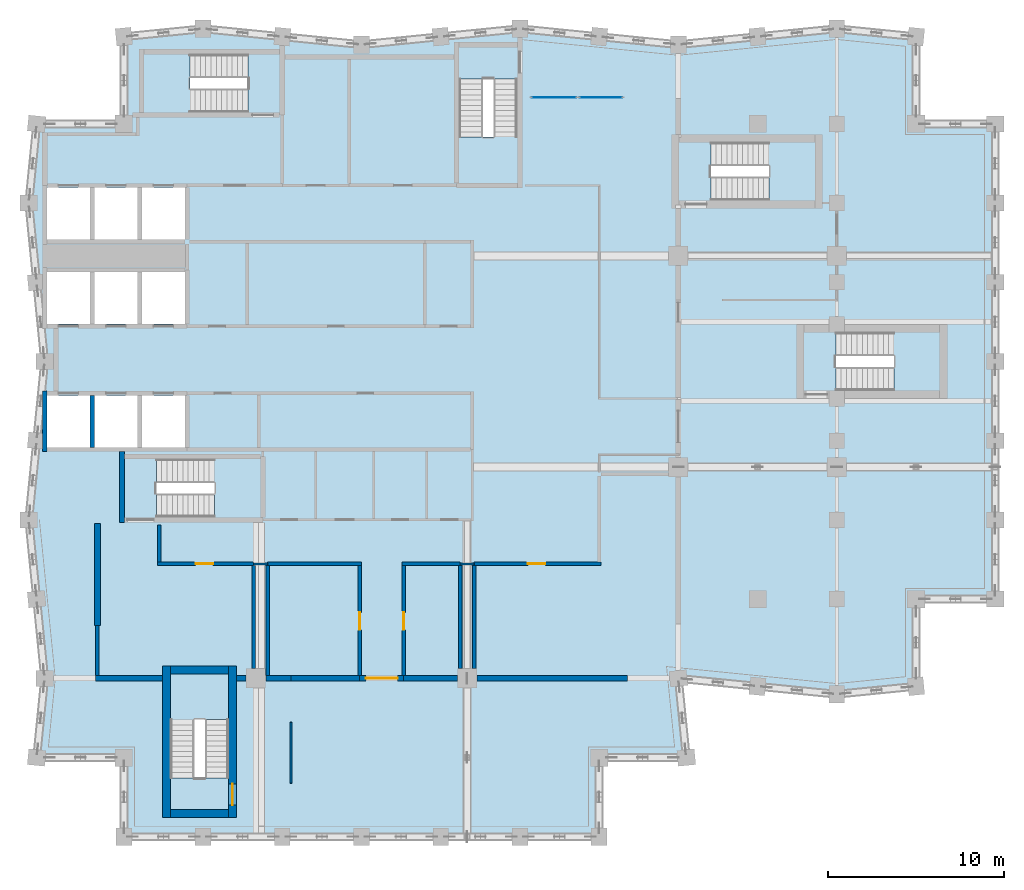
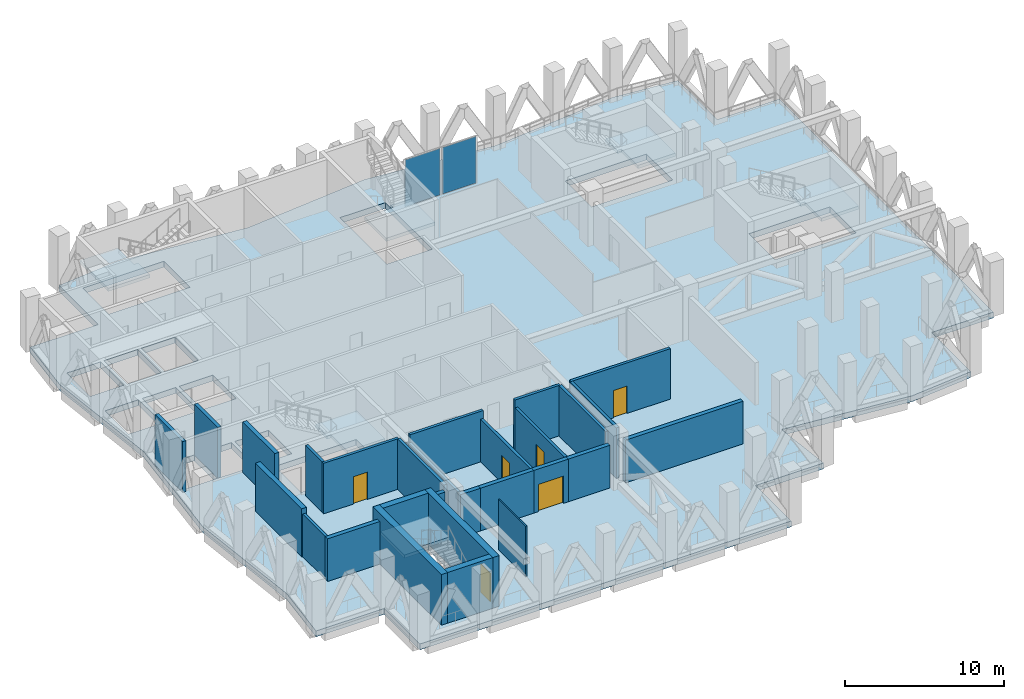
# One storey, part 8 of 18: 30 walls, 7 slabs, 6 doors, 2 plates, 6 openings, 8 elements without a shape of their own.
"""IFC4 building model written with IfcOpenShell, lengths in metres."""

from ifc_helpers import new_model, si_unit, direction, frame, frame_2d, origin, origin_2d, place, context, subcontext, project, spatial, polyline, rectangle, outline, extrude, material, layer, layer_set, type_object, element, fill, aggregate, save


model = new_model("IFC4")

# Units and contexts
model_context = context("Model", 3, precision=1e-05, world=origin(), true_north=direction((0.0, 1.0)))
body_context = subcontext(model_context, "Body", "Model", "MODEL_VIEW")
ifc_project = project(units=[si_unit("LENGTHUNIT", "METRE"), si_unit("AREAUNIT", "SQUARE_METRE"), si_unit("VOLUMEUNIT", "CUBIC_METRE"), si_unit("PLANEANGLEUNIT", "RADIAN"), si_unit("MASSUNIT", "GRAM", prefix="KILO")], contexts=[model_context])

# Site, building, storey
site_placement = place(None, origin())
site = spatial("IfcSite", under=ifc_project, at=site_placement, CompositionType="ELEMENT")
building_placement = place(site_placement, origin())
building = spatial("IfcBuilding", under=site, at=building_placement, Name="Brondeck Convention Tower", CompositionType="ELEMENT")
storey_placement = place(building_placement, frame((0.0, 0.0, 248.199951171875)))
storey = spatial("IfcBuildingStorey", under=building, at=storey_placement, Name="L61", CompositionType="ELEMENT", Elevation=248.199951171875)

# Curtain wall, plate
ifc_material_1 = material(Name="Aluminium, bronze anodised", Category="aluminium")
curtain_wall_type = type_object("IfcCurtainWallType", Name="Band enclosure curtain wall", PredefinedType="NOTDEFINED", material=ifc_material_1)
curtain_wall_1_placement = place(storey_placement, origin())
curtain_wall_1 = element("IfcCurtainWall", 1, at=curtain_wall_1_placement, inside=storey, type_object=curtain_wall_type, Name="ENV-L61-001-CW50", PredefinedType="NOTDEFINED")
ifc_material_2 = material(Name="Bronze tinted laminated glass", Category="glass")
ifc_layer_1 = layer(ifc_material_2, 0.008056640625, Name="Outer pane")
ifc_material_3 = material(Name="Argon-filled cavity")
ifc_layer_2 = layer(ifc_material_3, 0.011962890625, Name="Cavity")
ifc_material_4 = material(Name="Clear low-emissivity glass", Category="glass")
ifc_layer_3 = layer(ifc_material_4, 0.008056640625, Name="Inner pane")
ifc_layer_set_1 = layer_set([ifc_layer_1, ifc_layer_2, ifc_layer_3], Name="CW5 glazing panel")
plate_type = type_object("IfcPlateType", Name="CW5 glazing panel", PredefinedType="CURTAIN_PANEL", material=ifc_layer_set_1)
plate_1_placement = place(storey_placement, frame((31.60498046875, 60.0, 0.06005859375), z_axis=(0.0, 0.0, 1.0), x_axis=(1.0, 0.0, 0.0)))
plate_1 = element("IfcPlate", 2, at=plate_1_placement, type_object=plate_type, Name="CW5 panel 1.1", PredefinedType="CURTAIN_PANEL", context=body_context, shape_type="SweptSolid", body=[
    extrude(rectangle(XDim=2.429931640625, YDim=0.028076171875, at=origin_2d()), origin(), (0.0, 0.0, 1.0), 3.580078125),
])
aggregate(curtain_wall_1, [plate_1])

curtain_wall_2_placement = place(storey_placement, origin())
curtain_wall_2 = element("IfcCurtainWall", 3, at=curtain_wall_2_placement, inside=storey, type_object=curtain_wall_type, Name="ENV-L61-001-CW51", PredefinedType="NOTDEFINED")
plate_2_placement = place(storey_placement, frame((28.93505859375, 60.0, 0.06005859375), z_axis=(0.0, 0.0, 1.0), x_axis=(1.0, 0.0, 0.0)))
plate_2 = element("IfcPlate", 4, at=plate_2_placement, type_object=plate_type, Name="CW5 panel 1.1", PredefinedType="CURTAIN_PANEL", context=body_context, shape_type="SweptSolid", body=[
    extrude(rectangle(XDim=2.550048828125, YDim=0.028076171875, at=origin_2d()), origin(), (0.0, 0.0, 1.0), 3.580078125),
])
aggregate(curtain_wall_2, [plate_2])

# Slab
ifc_material_5 = material(Name="Concrete C35/45", Category="concrete")
ifc_layer_4 = layer(ifc_material_5, 0.449951171875)
ifc_layer_set_2 = layer_set([ifc_layer_4], Name="Composite floor slab 450")
slab_type_1 = type_object("IfcSlabType", Name="Composite floor slab 450", PredefinedType="FLOOR", material=ifc_layer_set_2)
slab_1_placement = place(storey_placement, frame((0.0, 0.0, -0.449951171875)))
element("IfcSlab", 5, at=slab_1_placement, inside=storey, type_object=slab_type_1, Name="STR-SL-L61", PredefinedType="FLOOR", context=body_context, shape_type="SweptSolid", body=[
    extrude(outline(polyline([(4.5, 22.5), (-0.449951171875, 22.5), (0.0, 27.0), (-0.89990234375, 36.0), (0.0, 45.0), (-0.89990234375, 54.0), (-0.449951171875, 58.5), (4.5, 58.5), (4.5, 63.449951171875), (9.0, 63.89990234375), (18.0, 63.0), (27.0, 63.89990234375), (36.0, 63.0), (45.0, 63.89990234375), (49.5, 63.449951171875), (49.5, 58.5), (54.0, 58.5), (54.0, 31.5), (49.5, 31.5), (49.5, 26.550048828125), (45.0, 26.10009765625), (36.0, 27.0), (36.449951171875, 22.5), (31.5, 22.5), (31.5, 18.0), (4.5, 18.0), (4.5, 22.5)]), holes=[polyline([(2.574951171875, 43.074951171875), (0.125, 43.074951171875), (0.125, 40.125), (2.574951171875, 40.125), (2.574951171875, 43.074951171875)]), polyline([(5.27490234375, 40.125), (5.27490234375, 43.074951171875), (2.824951171875, 43.074951171875), (2.824951171875, 40.125), (5.27490234375, 40.125)]), polyline([(7.97509765625, 40.125), (7.97509765625, 43.074951171875), (5.52490234375, 43.074951171875), (5.52490234375, 40.125), (7.97509765625, 40.125)]), polyline([(2.574951171875, 47.125), (2.574951171875, 50.074951171875), (0.125, 50.074951171875), (0.125, 47.125), (2.574951171875, 47.125)]), polyline([(5.27490234375, 47.125), (5.27490234375, 50.074951171875), (2.824951171875, 50.074951171875), (2.824951171875, 47.125), (5.27490234375, 47.125)]), polyline([(7.97509765625, 47.125), (7.97509765625, 50.074951171875), (5.52490234375, 50.074951171875), (5.52490234375, 47.125), (7.97509765625, 47.125)]), polyline([(2.574951171875, 51.925048828125), (2.574951171875, 54.875), (0.125, 54.875), (0.125, 51.925048828125), (2.574951171875, 51.925048828125)]), polyline([(5.27490234375, 51.925048828125), (5.27490234375, 54.875), (2.824951171875, 54.875), (2.824951171875, 51.925048828125), (5.27490234375, 51.925048828125)]), polyline([(10.447998046875, 27.248046875), (7.152099609375, 27.248046875), (7.152099609375, 21.35205078125), (10.447998046875, 21.35205078125), (10.447998046875, 27.248046875)]), polyline([(12.248046875, 36.152099609375), (12.248046875, 39.447998046875), (6.35205078125, 39.447998046875), (6.35205078125, 36.152099609375), (12.248046875, 36.152099609375)]), polyline([(50.847900390625, 43.35205078125), (50.847900390625, 46.64794921875), (44.951904296875, 46.64794921875), (44.951904296875, 43.35205078125), (50.847900390625, 43.35205078125)]), polyline([(7.97509765625, 51.925048828125), (7.97509765625, 54.875), (5.52490234375, 54.875), (5.52490234375, 51.925048828125), (7.97509765625, 51.925048828125)]), polyline([(43.748046875, 54.152099609375), (43.748046875, 57.447998046875), (37.85205078125, 57.447998046875), (37.85205078125, 54.152099609375), (43.748046875, 54.152099609375)]), polyline([(23.552001953125, 55.152099609375), (26.847900390625, 55.152099609375), (26.847900390625, 61.048095703125), (23.552001953125, 61.048095703125), (23.552001953125, 55.152099609375)]), polyline([(5.652099609375, 62.447998046875), (5.652099609375, 59.152099609375), (11.548095703125, 59.152099609375), (11.548095703125, 62.447998046875), (5.652099609375, 62.447998046875)])]), origin(), (0.0, 0.0, 1.0), 0.449951171875),
])

# Stair, slab
ifc_material_6 = material(Name="Precast concrete C50/60", Category="concrete")
stair_type = type_object("IfcStairType", Name="Core stair 24 risers 175.00 mm riser 300 mm going 1350 wide", PredefinedType="HALF_TURN_STAIR", material=ifc_material_6)
stair_1_placement = place(storey_placement, origin())
stair_1 = element("IfcStair", 6, at=stair_1_placement, inside=storey, type_object=stair_type, Name="ST-1 L61 stair", PredefinedType="HALF_TURN_STAIR")
ifc_layer_5 = layer(ifc_material_6, 0.25)
ifc_layer_set_3 = layer_set([ifc_layer_5], Name="Core stair landing 250 Precast concrete C50/60")
slab_type_2 = type_object("IfcSlabType", Name="Core stair landing 250 Precast concrete C50/60", PredefinedType="LANDING", material=ifc_layer_set_3)
slab_2_placement = place(storey_placement, frame((0.0, 0.0, 1.85009765625)))
slab_2 = element("IfcSlab", 7, at=slab_2_placement, type_object=slab_type_2, Name="ST-1 landing 1", PredefinedType="LANDING", context=body_context, shape_type="SweptSolid", body=[
    extrude(outline(polyline([(9.64794921875, 37.5), (9.64990234375, 37.5), (9.64990234375, 38.10009765625), (9.35009765625, 38.10009765625), (9.35009765625, 39.570068359375), (12.3701171875, 39.570068359375), (12.3701171875, 36.030029296875), (9.64794921875, 36.030029296875), (9.64794921875, 37.5)])), origin(), (0.0, 0.0, 1.0), 0.25),
])
aggregate(stair_1, [slab_2])

stair_2_placement = place(storey_placement, origin())
stair_2 = element("IfcStair", 8, at=stair_2_placement, inside=storey, type_object=stair_type, Name="ST-2 L61 stair", PredefinedType="HALF_TURN_STAIR")
slab_3_placement = place(storey_placement, frame((0.0, 0.0, 1.85009765625)))
slab_3 = element("IfcSlab", 9, at=slab_3_placement, type_object=slab_type_2, Name="ST-2 landing 1", PredefinedType="LANDING", context=body_context, shape_type="SweptSolid", body=[
    extrude(outline(polyline([(23.429931640625, 57.751953125), (24.89990234375, 57.751953125), (24.89990234375, 57.75), (25.5, 57.75), (25.5, 58.050048828125), (26.969970703125, 58.050048828125), (26.969970703125, 55.030029296875), (23.429931640625, 55.030029296875), (23.429931640625, 57.751953125)])), origin(), (0.0, 0.0, 1.0), 0.25),
])
aggregate(stair_2, [slab_3])

stair_3_placement = place(storey_placement, origin())
stair_3 = element("IfcStair", 10, at=stair_3_placement, inside=storey, type_object=stair_type, Name="ST-3 L61 stair", PredefinedType="HALF_TURN_STAIR")
slab_4_placement = place(storey_placement, frame((0.0, 0.0, 1.85009765625)))
slab_4 = element("IfcSlab", 11, at=slab_4_placement, type_object=slab_type_2, Name="ST-3 landing 1", PredefinedType="LANDING", context=body_context, shape_type="SweptSolid", body=[
    extrude(outline(polyline([(8.550048828125, 60.5), (8.550048828125, 59.030029296875), (5.530029296875, 59.030029296875), (5.530029296875, 62.570068359375), (8.251953125, 62.570068359375), (8.251953125, 61.10009765625), (8.25, 61.10009765625), (8.25, 60.5), (8.550048828125, 60.5)])), origin(), (0.0, 0.0, 1.0), 0.25),
])
aggregate(stair_3, [slab_4])

stair_4_placement = place(storey_placement, origin())
stair_4 = element("IfcStair", 12, at=stair_4_placement, inside=storey, type_object=stair_type, Name="ST-AE L61 stair", PredefinedType="HALF_TURN_STAIR")
slab_5_placement = place(storey_placement, frame((0.0, 0.0, 1.85009765625)))
slab_5 = element("IfcSlab", 13, at=slab_5_placement, type_object=slab_type_2, Name="ST-AE landing 1", PredefinedType="LANDING", context=body_context, shape_type="SweptSolid", body=[
    extrude(outline(polyline([(41.14794921875, 55.5), (41.14990234375, 55.5), (41.14990234375, 56.10009765625), (40.85009765625, 56.10009765625), (40.85009765625, 57.570068359375), (43.8701171875, 57.570068359375), (43.8701171875, 54.030029296875), (41.14794921875, 54.030029296875), (41.14794921875, 55.5)])), origin(), (0.0, 0.0, 1.0), 0.25),
])
aggregate(stair_4, [slab_5])

stair_5_placement = place(storey_placement, origin())
stair_5 = element("IfcStair", 14, at=stair_5_placement, inside=storey, type_object=stair_type, Name="ST-BE L61 stair", PredefinedType="HALF_TURN_STAIR")
slab_6_placement = place(storey_placement, frame((0.0, 0.0, 1.85009765625)))
slab_6 = element("IfcSlab", 15, at=slab_6_placement, type_object=slab_type_2, Name="ST-BE landing 1", PredefinedType="LANDING", context=body_context, shape_type="SweptSolid", body=[
    extrude(outline(polyline([(7.030029296875, 24.35009765625), (7.030029296875, 27.3701171875), (10.570068359375, 27.3701171875), (10.570068359375, 24.64794921875), (9.10009765625, 24.64794921875), (9.10009765625, 24.64990234375), (8.5, 24.64990234375), (8.5, 24.35009765625), (7.030029296875, 24.35009765625)])), origin(), (0.0, 0.0, 1.0), 0.25),
])
aggregate(stair_5, [slab_6])

stair_6_placement = place(storey_placement, origin())
stair_6 = element("IfcStair", 16, at=stair_6_placement, inside=storey, type_object=stair_type, Name="ST-AF L61 stair", PredefinedType="HALF_TURN_STAIR")
slab_7_placement = place(storey_placement, frame((0.0, 0.0, 1.85009765625)))
slab_7 = element("IfcSlab", 17, at=slab_7_placement, type_object=slab_type_2, Name="ST-AF landing 1", PredefinedType="LANDING", context=body_context, shape_type="SweptSolid", body=[
    extrude(outline(polyline([(48.248046875, 44.699951171875), (48.25, 44.699951171875), (48.25, 45.300048828125), (47.949951171875, 45.300048828125), (47.949951171875, 46.77001953125), (50.969970703125, 46.77001953125), (50.969970703125, 43.22998046875), (48.248046875, 43.22998046875), (48.248046875, 44.699951171875)])), origin(), (0.0, 0.0, 1.0), 0.25),
])
aggregate(stair_6, [slab_7])

# Walls
ifc_material_7 = material(Name="Precast concrete C50/60 bronze finish", Category="concrete")
ifc_layer_6 = layer(ifc_material_7, 0.080078125, Name="Bronze precast facing")
ifc_material_8 = material(Name="Mineral wool")
ifc_layer_7 = layer(ifc_material_8, 0.159912109375, Name="Insulation")
ifc_layer_8 = layer(ifc_material_6, 0.110107421875, Name="Rated backing")
ifc_layer_set_4 = layer_set([ifc_layer_6, ifc_layer_7, ifc_layer_8], Name="Band enclosure wall, insulated panel")
wall_type_1 = type_object("IfcWallType", Name="Band enclosure wall, insulated panel", PredefinedType="SOLIDWALL", material=ifc_layer_set_4)
wall_1_placement = place(storey_placement, frame((3.0, 30.0, 0.0), z_axis=(0.0, 0.0, 1.0), x_axis=(0.0, 1.0, 0.0)))
element("IfcWall", 18, at=wall_1_placement, inside=storey, type_object=wall_type_1, Name="ENV-L61-002-W", PredefinedType="SOLIDWALL", context=body_context, shape_type="SweptSolid", body=[
    extrude(rectangle(XDim=5.800048828125, YDim=0.35009765625, at=frame_2d((2.89990234375, 0.0))), origin(), (0.0, 0.0, 1.0), 3.699951171875),
])
ifc_material_9 = material(Name="Concrete compartment wall C30/37", Category="concrete")
ifc_layer_9 = layer(ifc_material_9, 0.300048828125)
ifc_layer_set_5 = layer_set([ifc_layer_9], Name="Compartment wall 300")
wall_type_2 = type_object("IfcWallType", Name="Compartment wall 300", PredefinedType="PARTITIONING", material=ifc_layer_set_5)
wall_2_placement = place(storey_placement, frame((6.699951171875, 27.0, 0.0), z_axis=(0.0, 0.0, 1.0), x_axis=(-1.0, 0.0, 0.0)))
element("IfcWall", 19, at=wall_2_placement, inside=storey, type_object=wall_type_2, Name="FLR-L61-W003", PredefinedType="PARTITIONING", context=body_context, shape_type="SweptSolid", body=[
    extrude(rectangle(XDim=3.800048828125, YDim=0.300048828125, at=frame_2d((1.89990234375, 0.0))), origin(), (0.0, 0.0, 1.0), 3.280029296875),
])
wall_3_placement = place(storey_placement, frame((10.89990234375, 27.0, 0.0), z_axis=(0.0, 0.0, 1.0), x_axis=(1.0, 0.0, 0.0)))
element("IfcWall", 20, at=wall_3_placement, inside=storey, type_object=wall_type_2, Name="FLR-L61-W004", PredefinedType="PARTITIONING", context=body_context, shape_type="SweptSolid", body=[
    extrude(rectangle(XDim=0.545166015625, YDim=0.300048828125, at=frame_2d((0.2724609375, 0.0))), origin(), (0.0, 0.0, 1.0), 3.880126953125),
])
wall_4_placement = place(storey_placement, frame((12.570068359375, 27.0, 0.0), z_axis=(0.0, 0.0, 1.0), x_axis=(1.0, 0.0, 0.0)))
element("IfcWall", 21, at=wall_4_placement, inside=storey, type_object=wall_type_2, Name="FLR-L61-W005", PredefinedType="PARTITIONING", context=body_context, shape_type="SweptSolid", body=[
    extrude(rectangle(XDim=1.429931640625, YDim=0.300048828125, at=frame_2d((0.71484375, 0.0))), origin(), (0.0, 0.0, 1.0), 3.280029296875),
])
wall_5_placement = place(storey_placement, frame((17.89990234375, 27.0, 0.0), z_axis=(0.0, 0.0, 1.0), x_axis=(-1.0, 0.0, 0.0)))
element("IfcWall", 22, at=wall_5_placement, inside=storey, type_object=wall_type_2, Name="FLR-L61-W006", PredefinedType="PARTITIONING", context=body_context, shape_type="SweptSolid", body=[
    extrude(rectangle(XDim=3.89990234375, YDim=0.300048828125, at=frame_2d((1.949951171875, 0.0))), origin(), (0.0, 0.0, 1.0), 3.280029296875),
])

# Wall, opening, door
wall_6_placement = place(storey_placement, frame((20.39990234375, 27.0, 0.0), z_axis=(0.0, 0.0, 1.0), x_axis=(-1.0, 0.0, 0.0)))
wall_6 = element("IfcWall", 23, at=wall_6_placement, inside=storey, type_object=wall_type_2, Name="FLR-L61-W007", PredefinedType="PARTITIONING", context=body_context, shape_type="SweptSolid", body=[
    extrude(rectangle(XDim=2.5, YDim=0.300048828125, at=frame_2d((1.25, 0.0))), origin(), (0.0, 0.0, 1.0), 3.280029296875),
])
opening_1_placement = place(wall_6_placement, frame((0.35009765625, 0.0, 0.0)))
opening_1 = element("IfcOpeningElement", 24, at=opening_1_placement, cuts=wall_6, Name="Opening BD-4-008", PredefinedType="OPENING", context=body_context, shape_type="SweptSolid", body=[
    extrude(rectangle(XDim=1.800048828125, YDim=2.10009765625, at=frame_2d((0.89990234375, 1.050048828125))), frame((0.0, 0.159912109375, 0.0), z_axis=(0.0, -1.0, 0.0), x_axis=(1.0, 0.0, 0.0)), (0.0, 0.0, 1.0), 0.320068359375),
])
ifc_material_10 = material(Name="Steel fire door pair", Category="steel")
door_type_1 = type_object("IfcDoorType", Name="Fire door pair 1800", OperationType="DOUBLE_DOOR_SINGLE_SWING", PredefinedType="DOOR", material=ifc_material_10)
door_1_placement = place(opening_1_placement, origin())
door_1 = element("IfcDoor", 25, at=door_1_placement, inside=storey, type_object=door_type_1, Name="Door BD-4-008", OperationType="DOUBLE_DOOR_SINGLE_SWING", OverallHeight=2.10009765625, OverallWidth=1.800048828125, PredefinedType="DOOR", context=body_context, shape_type="SweptSolid", body=[
    extrude(rectangle(XDim=1.800048828125, YDim=2.10009765625, at=frame_2d((0.89990234375, 1.050048828125))), frame((0.0, 0.02490234375, 0.0), z_axis=(0.0, -1.0, 0.0), x_axis=(1.0, 0.0, 0.0)), (0.0, 0.0, 1.0), 0.050048828125),
])
fill(opening_1, door_1)

# Walls
wall_7_placement = place(storey_placement, frame((23.445068359375, 27.0, 0.0), z_axis=(0.0, 0.0, 1.0), x_axis=(-1.0, 0.0, 0.0)))
element("IfcWall", 26, at=wall_7_placement, inside=storey, type_object=wall_type_2, Name="FLR-L61-W008", PredefinedType="PARTITIONING", context=body_context, shape_type="SweptSolid", body=[
    extrude(rectangle(XDim=3.045166015625, YDim=0.300048828125, at=frame_2d((1.5224609375, 0.0))), origin(), (0.0, 0.0, 1.0), 3.280029296875),
])
wall_8_placement = place(storey_placement, frame((33.10009765625, 27.0, 0.0), z_axis=(0.0, 0.0, 1.0), x_axis=(-1.0, 0.0, 0.0)))
element("IfcWall", 27, at=wall_8_placement, inside=storey, type_object=wall_type_2, Name="FLR-L61-W009", PredefinedType="PARTITIONING", context=body_context, shape_type="SweptSolid", body=[
    extrude(rectangle(XDim=8.545166015625, YDim=0.300048828125, at=frame_2d((4.2724609375, 0.0))), origin(), (0.0, 0.0, 1.0), 3.280029296875),
])
ifc_material_11 = material(Name="Concrete C50/60", Category="concrete")
ifc_layer_10 = layer(ifc_material_11, 0.25)
ifc_layer_set_6 = layer_set([ifc_layer_10], Name="Lift shaft wall 250 Concrete C50/60")
wall_type_3 = type_object("IfcWallType", Name="Lift shaft wall 250 Concrete C50/60", PredefinedType="SHEAR", material=ifc_layer_set_6)
wall_9_placement = place(storey_placement, frame((0.0, 39.875, 0.0), z_axis=(0.0, 0.0, 1.0), x_axis=(0.0, 1.0, 0.0)))
element("IfcWall", 28, at=wall_9_placement, inside=storey, type_object=wall_type_3, Name="L61 core wall", PredefinedType="SHEAR", context=body_context, shape_type="SweptSolid", body=[
    extrude(rectangle(XDim=3.449951171875, YDim=0.25, at=frame_2d((1.72509765625, 0.0))), origin(), (0.0, 0.0, 1.0), 3.900146484375),
])
wall_10_placement = place(storey_placement, frame((2.699951171875, 40.125, 0.0), z_axis=(0.0, 0.0, 1.0), x_axis=(0.0, 1.0, 0.0)))
element("IfcWall", 29, at=wall_10_placement, inside=storey, type_object=wall_type_3, Name="L61 core wall", PredefinedType="SHEAR", context=body_context, shape_type="SweptSolid", body=[
    extrude(rectangle(XDim=2.949951171875, YDim=0.25, at=frame_2d((1.47509765625, 0.0))), origin(), (0.0, 0.0, 1.0), 3.900146484375),
])
ifc_material_12 = material(Name="Concrete block wall C16/20", Category="concrete")
ifc_layer_11 = layer(ifc_material_12, 0.199951171875)
ifc_layer_set_7 = layer_set([ifc_layer_11], Name="Plant room wall 200")
wall_type_4 = type_object("IfcWallType", Name="Plant room wall 200", PredefinedType="PARTITIONING", material=ifc_layer_set_7)
wall_11_placement = place(storey_placement, frame((3.0, 27.159912109375, 0.0), z_axis=(0.0, 0.0, 1.0), x_axis=(0.0, 1.0, 0.0)))
element("IfcWall", 30, at=wall_11_placement, inside=storey, type_object=wall_type_4, Name="FLR-L61-W010", PredefinedType="PARTITIONING", context=body_context, shape_type="SweptSolid", body=[
    extrude(rectangle(XDim=2.840087890625, YDim=0.199951171875, at=frame_2d((1.419921875, 0.0))), origin(), (0.0, 0.0, 1.0), 3.280029296875),
])
wall_12_placement = place(storey_placement, frame((12.669921875, 27.159912109375, 0.0), z_axis=(0.0, 0.0, 1.0), x_axis=(0.0, 1.0, 0.0)))
element("IfcWall", 31, at=wall_12_placement, inside=storey, type_object=wall_type_4, Name="FLR-L61-W011", PredefinedType="PARTITIONING", context=body_context, shape_type="SweptSolid", body=[
    extrude(rectangle(XDim=6.239990234375, YDim=0.199951171875, at=frame_2d((3.1201171875, 0.0))), origin(), (0.0, 0.0, 1.0), 3.280029296875),
])

# Wall, opening, door
wall_13_placement = place(storey_placement, frame((17.89990234375, 27.159912109375, 0.0), z_axis=(0.0, 0.0, 1.0), x_axis=(0.0, 1.0, 0.0)))
wall_13 = element("IfcWall", 32, at=wall_13_placement, inside=storey, type_object=wall_type_4, Name="FLR-L61-W012", PredefinedType="PARTITIONING", context=body_context, shape_type="SweptSolid", body=[
    extrude(rectangle(XDim=6.239990234375, YDim=0.199951171875, at=frame_2d((3.1201171875, 0.0))), origin(), (0.0, 0.0, 1.0), 3.280029296875),
])
opening_2_placement = place(wall_13_placement, frame((2.590087890625, 0.0, 0.0)))
opening_2 = element("IfcOpeningElement", 33, at=opening_2_placement, cuts=wall_13, Name="Opening BD-4-004", PredefinedType="OPENING", context=body_context, shape_type="SweptSolid", body=[
    extrude(rectangle(XDim=1.0, YDim=2.10009765625, at=frame_2d((0.5, 1.050048828125))), frame((0.0, 0.10986328125, 0.0), z_axis=(0.0, -1.0, 0.0), x_axis=(1.0, 0.0, 0.0)), (0.0, 0.0, 1.0), 0.219970703125),
])
ifc_material_13 = material(Name="Steel fire door leaf", Category="steel")
door_type_2 = type_object("IfcDoorType", Name="Plant room door 1000", OperationType="NOTDEFINED", PredefinedType="DOOR", material=ifc_material_13)
door_2_placement = place(opening_2_placement, origin())
door_2 = element("IfcDoor", 34, at=door_2_placement, inside=storey, type_object=door_type_2, Name="Door BD-4-004", OperationType="SINGLE_SWING_RIGHT", OverallHeight=2.10009765625, OverallWidth=1.0, PredefinedType="DOOR", context=body_context, shape_type="SweptSolid", body=[
    extrude(rectangle(XDim=1.0, YDim=2.10009765625, at=frame_2d((0.5, 1.050048828125))), frame((0.0, 0.02490234375, 0.0), z_axis=(0.0, -1.0, 0.0), x_axis=(1.0, 0.0, 0.0)), (0.0, 0.0, 1.0), 0.050048828125),
])
fill(opening_2, door_2)

# Walls
for number, where, z_axis, x_axis, name in (
    (35, (24.39990234375, 27.554931640625, 0.0), (0.0, 0.0, 1.0), (0.0, 1.0, 0.0), "FLR-L61-W013"),
    (36, (11.8701171875, 33.39990234375, 0.0), (0.0, 0.0, 1.0), (0.0, -1.0, 0.0), "FLR-L61-W016"),
):
    element("IfcWall", number, at=place(storey_placement, frame(where, z_axis=z_axis, x_axis=x_axis)), inside=storey, type_object=wall_type_4, Name=name, PredefinedType="PARTITIONING", context=body_context, shape_type="SweptSolid", body=[
        extrude(rectangle(XDim=5.844970703125, YDim=0.199951171875, at=frame_2d((2.92236328125, 0.0))), origin(), (0.0, 0.0, 1.0), 3.880126953125),
    ])

# Wall, opening, door
wall_14_placement = place(storey_placement, frame((20.39990234375, 33.39990234375, 0.0), z_axis=(0.0, 0.0, 1.0), x_axis=(0.0, -1.0, 0.0)))
wall_14 = element("IfcWall", 37, at=wall_14_placement, inside=storey, type_object=wall_type_4, Name="FLR-L61-W017", PredefinedType="PARTITIONING", context=body_context, shape_type="SweptSolid", body=[
    extrude(rectangle(XDim=6.239990234375, YDim=0.199951171875, at=frame_2d((3.1201171875, 0.0))), origin(), (0.0, 0.0, 1.0), 3.280029296875),
])
opening_3_placement = place(wall_14_placement, frame((2.64990234375, 0.0, 0.0)))
opening_3 = element("IfcOpeningElement", 38, at=opening_3_placement, cuts=wall_14, Name="Opening BD-4-006", PredefinedType="OPENING", context=body_context, shape_type="SweptSolid", body=[
    extrude(rectangle(XDim=1.0, YDim=2.10009765625, at=frame_2d((0.5, 1.050048828125))), frame((0.0, 0.10986328125, 0.0), z_axis=(0.0, -1.0, 0.0), x_axis=(1.0, 0.0, 0.0)), (0.0, 0.0, 1.0), 0.219970703125),
])
door_3_placement = place(opening_3_placement, origin())
door_3 = element("IfcDoor", 39, at=door_3_placement, inside=storey, type_object=door_type_2, Name="Door BD-4-006", OperationType="SINGLE_SWING_LEFT", OverallHeight=2.10009765625, OverallWidth=1.0, PredefinedType="DOOR", context=body_context, shape_type="SweptSolid", body=[
    extrude(rectangle(XDim=1.0, YDim=2.10009765625, at=frame_2d((0.5, 1.050048828125))), frame((0.0, 0.02490234375, 0.0), z_axis=(0.0, -1.0, 0.0), x_axis=(1.0, 0.0, 0.0)), (0.0, 0.0, 1.0), 0.050048828125),
])
fill(opening_3, door_3)

# Wall
wall_15_placement = place(storey_placement, frame((23.60009765625, 33.39990234375, 0.0), z_axis=(0.0, 0.0, 1.0), x_axis=(0.0, -1.0, 0.0)))
element("IfcWall", 40, at=wall_15_placement, inside=storey, type_object=wall_type_4, Name="FLR-L61-W018", PredefinedType="PARTITIONING", context=body_context, shape_type="SweptSolid", body=[
    extrude(rectangle(XDim=5.844970703125, YDim=0.199951171875, at=frame_2d((2.92236328125, 0.0))), origin(), (0.0, 0.0, 1.0), 3.880126953125),
])

# Wall, opening, door
wall_16_placement = place(storey_placement, frame((11.8701171875, 33.5, 0.0), z_axis=(0.0, 0.0, 1.0), x_axis=(-1.0, 0.0, 0.0)))
wall_16 = element("IfcWall", 41, at=wall_16_placement, inside=storey, type_object=wall_type_4, Name="FLR-L61-W019", PredefinedType="PARTITIONING", context=body_context, shape_type="SweptSolid", body=[
    extrude(rectangle(XDim=5.47021484375, YDim=0.199951171875, at=frame_2d((2.735107421875, 0.0))), origin(), (0.0, 0.0, 1.0), 3.880126953125),
])
opening_4_placement = place(wall_16_placement, frame((2.294921875, 0.0, 0.0)))
opening_4 = element("IfcOpeningElement", 42, at=opening_4_placement, cuts=wall_16, Name="Opening BD-4-003", PredefinedType="OPENING", context=body_context, shape_type="SweptSolid", body=[
    extrude(rectangle(XDim=1.0, YDim=2.10009765625, at=frame_2d((0.5, 1.050048828125))), frame((0.0, 0.10986328125, 0.0), z_axis=(0.0, -1.0, 0.0), x_axis=(1.0, 0.0, 0.0)), (0.0, 0.0, 1.0), 0.219970703125),
])
door_4_placement = place(opening_4_placement, origin())
door_4 = element("IfcDoor", 43, at=door_4_placement, inside=storey, type_object=door_type_2, Name="Door BD-4-003", OperationType="SINGLE_SWING_LEFT", OverallHeight=2.10009765625, OverallWidth=1.0, PredefinedType="DOOR", context=body_context, shape_type="SweptSolid", body=[
    extrude(rectangle(XDim=1.0, YDim=2.10009765625, at=frame_2d((0.5, 1.050048828125))), frame((0.0, 0.02490234375, 0.0), z_axis=(0.0, -1.0, 0.0), x_axis=(1.0, 0.0, 0.0)), (0.0, 0.0, 1.0), 0.050048828125),
])
fill(opening_4, door_4)

# Walls
wall_17_placement = place(storey_placement, frame((18.0, 33.5, 0.0), z_axis=(0.0, 0.0, 1.0), x_axis=(-1.0, 0.0, 0.0)))
element("IfcWall", 44, at=wall_17_placement, inside=storey, type_object=wall_type_4, Name="FLR-L61-W021", PredefinedType="PARTITIONING", context=body_context, shape_type="SweptSolid", body=[
    extrude(rectangle(XDim=5.330078125, YDim=0.199951171875, at=frame_2d((2.6650390625, 0.0))), origin(), (0.0, 0.0, 1.0), 3.880126953125),
])
wall_18_placement = place(storey_placement, frame((23.60009765625, 33.5, 0.0), z_axis=(0.0, 0.0, 1.0), x_axis=(-1.0, 0.0, 0.0)))
element("IfcWall", 45, at=wall_18_placement, inside=storey, type_object=wall_type_4, Name="FLR-L61-W022", PredefinedType="PARTITIONING", context=body_context, shape_type="SweptSolid", body=[
    extrude(rectangle(XDim=3.300048828125, YDim=0.199951171875, at=frame_2d((1.64990234375, 0.0))), origin(), (0.0, 0.0, 1.0), 3.880126953125),
])

# Wall, opening, door
wall_19_placement = place(storey_placement, frame((31.60009765625, 33.5, 0.0), z_axis=(0.0, 0.0, 1.0), x_axis=(-1.0, 0.0, 0.0)))
wall_19 = element("IfcWall", 46, at=wall_19_placement, inside=storey, type_object=wall_type_4, Name="FLR-L61-W024", PredefinedType="PARTITIONING", context=body_context, shape_type="SweptSolid", body=[
    extrude(rectangle(XDim=7.2001953125, YDim=0.199951171875, at=frame_2d((3.60009765625, 0.0))), origin(), (0.0, 0.0, 1.0), 3.880126953125),
])
opening_5_placement = place(wall_19_placement, frame((3.14990234375, 0.0, 0.0)))
opening_5 = element("IfcOpeningElement", 47, at=opening_5_placement, cuts=wall_19, Name="Opening BD-4-005", PredefinedType="OPENING", context=body_context, shape_type="SweptSolid", body=[
    extrude(rectangle(XDim=1.0, YDim=2.10009765625, at=frame_2d((0.5, 1.050048828125))), frame((0.0, 0.10986328125, 0.0), z_axis=(0.0, -1.0, 0.0), x_axis=(1.0, 0.0, 0.0)), (0.0, 0.0, 1.0), 0.219970703125),
])
door_5_placement = place(opening_5_placement, origin())
door_5 = element("IfcDoor", 48, at=door_5_placement, inside=storey, type_object=door_type_2, Name="Door BD-4-005", OperationType="SINGLE_SWING_RIGHT", OverallHeight=2.10009765625, OverallWidth=1.0, PredefinedType="DOOR", context=body_context, shape_type="SweptSolid", body=[
    extrude(rectangle(XDim=1.0, YDim=2.10009765625, at=frame_2d((0.5, 1.050048828125))), frame((0.0, 0.02490234375, 0.0), z_axis=(0.0, -1.0, 0.0), x_axis=(1.0, 0.0, 0.0)), (0.0, 0.0, 1.0), 0.050048828125),
])
fill(opening_5, door_5)

# Walls
wall_20_placement = place(storey_placement, frame((6.5, 33.60009765625, 0.0), z_axis=(0.0, 0.0, 1.0), x_axis=(0.0, 1.0, 0.0)))
element("IfcWall", 49, at=wall_20_placement, inside=storey, type_object=wall_type_4, Name="FLR-L61-W025", PredefinedType="PARTITIONING", context=body_context, shape_type="SweptSolid", body=[
    extrude(rectangle(XDim=2.099853515625, YDim=0.199951171875, at=frame_2d((1.0498046875, 0.0))), origin(), (0.0, 0.0, 1.0), 3.880126953125),
])
ifc_material_14 = material(Name="Gypsum board partition on steel studs", Category="steel")
ifc_layer_12 = layer(ifc_material_14, 0.10009765625)
ifc_layer_set_8 = layer_set([ifc_layer_12], Name="Room partition 100")
wall_type_5 = type_object("IfcWallType", Name="Room partition 100", PredefinedType="PARTITIONING", material=ifc_layer_set_8)
wall_21_placement = place(storey_placement, frame((14.0, 24.5, 0.0), z_axis=(0.0, 0.0, 1.0), x_axis=(0.0, -1.0, 0.0)))
element("IfcWall", 50, at=wall_21_placement, inside=storey, type_object=wall_type_5, Name="FLR-L61-W002", PredefinedType="PARTITIONING", context=body_context, shape_type="SweptSolid", body=[
    extrude(rectangle(XDim=3.449951171875, YDim=0.10009765625, at=frame_2d((1.72509765625, 0.0))), origin(), (0.0, 0.0, 1.0), 3.880126953125),
])
for number, where, z_axis, x_axis, name in (
    (51, (12.669921875, 33.5, 0.0), (0.0, 0.0, 1.0), (-1.0, 0.0, 0.0), "FLR-L61-W020"),
    (52, (24.39990234375, 33.5, 0.0), (0.0, 0.0, 1.0), (-1.0, 0.0, 0.0), "FLR-L61-W023"),
):
    element("IfcWall", number, at=place(storey_placement, frame(where, z_axis=z_axis, x_axis=x_axis)), inside=storey, type_object=wall_type_5, Name=name, PredefinedType="PARTITIONING", context=body_context, shape_type="SweptSolid", body=[
        extrude(rectangle(XDim=0.7998046875, YDim=0.10009765625, at=frame_2d((0.39990234375, 0.0))), origin(), (0.0, 0.0, 1.0), 3.280029296875),
    ])
ifc_layer_13 = layer(ifc_material_11, 0.449951171875)
ifc_layer_set_9 = layer_set([ifc_layer_13], Name="Stair enclosure bearing wall 450 Concrete C50/60")
wall_type_6 = type_object("IfcWallType", Name="Stair enclosure bearing wall 450 Concrete C50/60", PredefinedType="SHEAR", material=ifc_layer_set_9)
for number, where, z_axis, x_axis, name in (
    (53, (7.14990234375, 19.324951171875, 0.0), (0.0, 0.0, 1.0), (1.0, 0.0, 0.0), "L61 core wall"),
    (54, (7.14990234375, 27.47509765625, 0.0), (0.0, 0.0, 1.0), (1.0, 0.0, 0.0), "L61 core wall"),
):
    element("IfcWall", number, at=place(storey_placement, frame(where, z_axis=z_axis, x_axis=x_axis)), inside=storey, type_object=wall_type_6, Name=name, PredefinedType="SHEAR", context=body_context, shape_type="SweptSolid", body=[
        extrude(rectangle(XDim=3.300048828125, YDim=0.449951171875, at=frame_2d((1.64990234375, 0.0))), origin(), (0.0, 0.0, 1.0), 3.900146484375),
    ])
wall_22_placement = place(storey_placement, frame((6.925048828125, 19.10009765625, 0.0), z_axis=(0.0, 0.0, 1.0), x_axis=(0.0, 1.0, 0.0)))
element("IfcWall", 55, at=wall_22_placement, inside=storey, type_object=wall_type_6, Name="L61 core wall", PredefinedType="SHEAR", context=body_context, shape_type="SweptSolid", body=[
    extrude(rectangle(XDim=8.599853515625, YDim=0.449951171875, at=frame_2d((4.2998046875, 0.0))), origin(), (0.0, 0.0, 1.0), 3.900146484375),
])

# Wall, opening, door
wall_23_placement = place(storey_placement, frame((10.675048828125, 19.10009765625, 0.0), z_axis=(0.0, 0.0, 1.0), x_axis=(0.0, 1.0, 0.0)))
wall_23 = element("IfcWall", 56, at=wall_23_placement, inside=storey, type_object=wall_type_6, Name="L61 core wall", PredefinedType="SHEAR", context=body_context, shape_type="SweptSolid", body=[
    extrude(rectangle(XDim=8.599853515625, YDim=0.449951171875, at=frame_2d((4.2998046875, 0.0))), origin(), (0.0, 0.0, 1.0), 3.900146484375),
])
opening_6_placement = place(wall_23_placement, frame((0.699951171875, 0.0, 0.0)))
opening_6 = element("IfcOpeningElement", 57, at=opening_6_placement, cuts=wall_23, Name="Opening C33-18", PredefinedType="OPENING", context=body_context, shape_type="SweptSolid", body=[
    extrude(rectangle(XDim=1.199951171875, YDim=2.199951171875, at=frame_2d((0.60009765625, 1.10009765625))), frame((0.0, 0.23486328125, 0.0), z_axis=(0.0, -1.0, 0.0), x_axis=(1.0, 0.0, 0.0)), (0.0, 0.0, 1.0), 0.469970703125),
])
ifc_material_15 = material(Name="Steel fire door", Category="steel")
door_type_3 = type_object("IfcDoorType", Name="Stair door 1200x2200 EI 90", OperationType="NOTDEFINED", PredefinedType="DOOR", material=ifc_material_15)
door_6_placement = place(opening_6_placement, origin())
door_6 = element("IfcDoor", 58, at=door_6_placement, inside=storey, type_object=door_type_3, Name="L61 Stair door ST-BE", OperationType="SINGLE_SWING_RIGHT", OverallHeight=2.199951171875, OverallWidth=1.199951171875, PredefinedType="DOOR", context=body_context, shape_type="SweptSolid", body=[
    extrude(rectangle(XDim=1.199951171875, YDim=2.199951171875, at=frame_2d((0.60009765625, 1.10009765625))), frame((0.0, 0.02490234375, 0.0), z_axis=(0.0, -1.0, 0.0), x_axis=(1.0, 0.0, 0.0)), (0.0, 0.0, 1.0), 0.050048828125),
])
fill(opening_6, door_6)

# Wall
ifc_layer_14 = layer(ifc_material_11, 0.300048828125)
ifc_layer_set_10 = layer_set([ifc_layer_14], Name="Stair enclosure wall 300 Concrete C50/60")
wall_type_7 = type_object("IfcWallType", Name="Stair enclosure wall 300 Concrete C50/60", PredefinedType="SHEAR", material=ifc_layer_set_10)
wall_24_placement = place(storey_placement, frame((4.39990234375, 35.85009765625, 0.0), z_axis=(0.0, 0.0, 1.0), x_axis=(0.0, 1.0, 0.0)))
element("IfcWall", 59, at=wall_24_placement, inside=storey, type_object=wall_type_7, Name="L61 core wall", PredefinedType="SHEAR", context=body_context, shape_type="SweptSolid", body=[
    extrude(rectangle(XDim=4.02490234375, YDim=0.300048828125, at=frame_2d((2.012451171875, 0.0))), origin(), (0.0, 0.0, 1.0), 3.900146484375),
])

save(model, "model.ifc")
